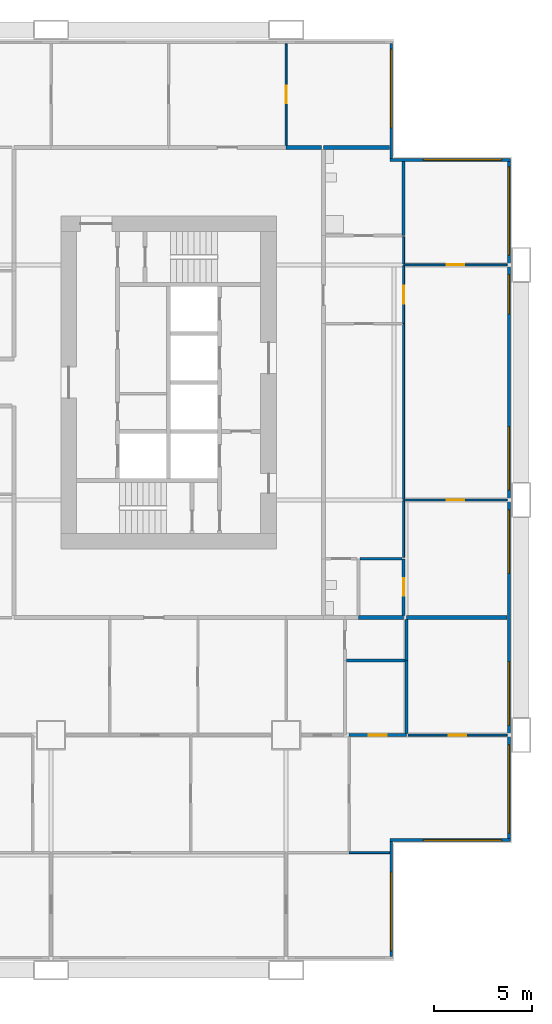
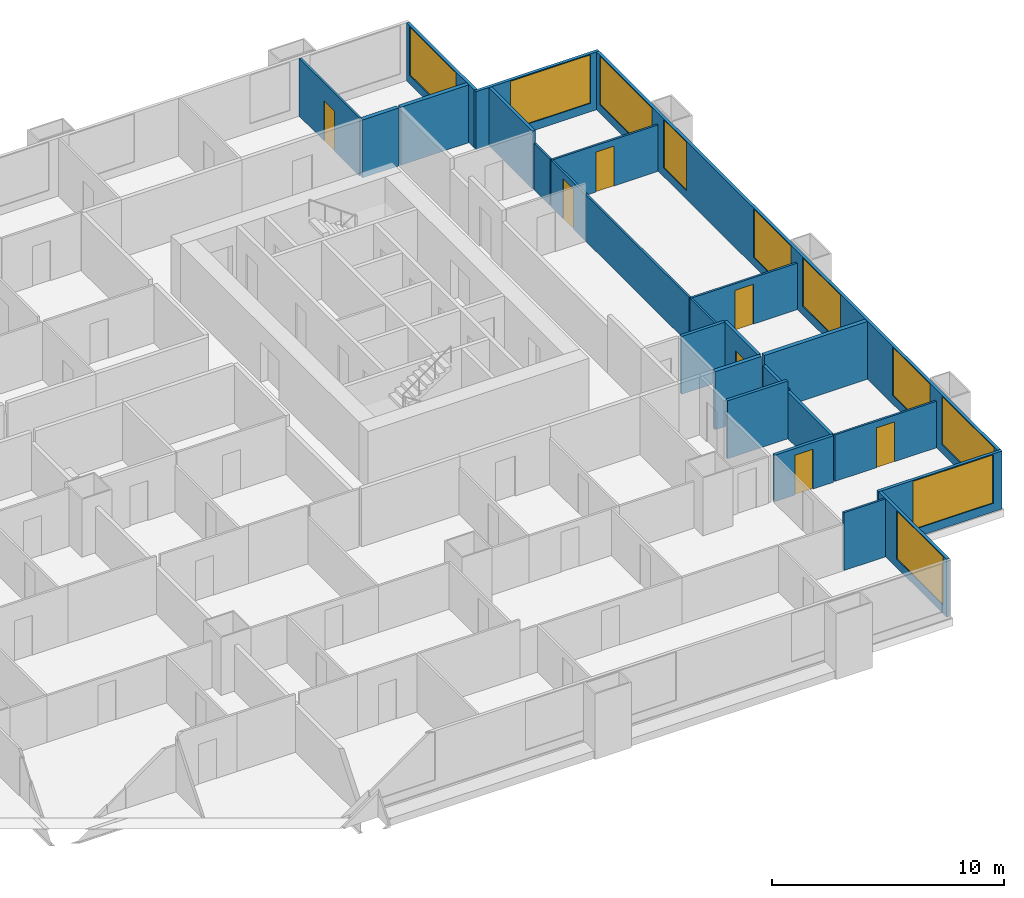
# One storey, part 10 of 13: 25 walls, 10 windows, 7 doors, 17 openings.
"""IFC4 building model written with IfcOpenShell, lengths in metres."""

from ifc_helpers import new_model, si_unit, direction, frame, frame_2d, origin, place, context, subcontext, project, spatial, rectangle, extrude, material, layer, layer_set, type_object, element, fill, save


model = new_model("IFC4")

# Units and contexts
model_context = context("Model", 3, precision=1e-05, world=origin(), true_north=direction((0.0, 1.0)))
body_context = subcontext(model_context, "Body", "Model", "MODEL_VIEW")
ifc_project = project(units=[si_unit("LENGTHUNIT", "METRE"), si_unit("AREAUNIT", "SQUARE_METRE"), si_unit("VOLUMEUNIT", "CUBIC_METRE"), si_unit("PLANEANGLEUNIT", "RADIAN"), si_unit("MASSUNIT", "GRAM", prefix="KILO")], contexts=[model_context])

# Site, building, storey
site_placement = place(None, origin())
site = spatial("IfcSite", under=ifc_project, at=site_placement, CompositionType="ELEMENT")
building_placement = place(site_placement, origin())
building = spatial("IfcBuilding", under=site, at=building_placement, Name="Kitamizu Gate Tower and Museum", CompositionType="ELEMENT")
storey_placement = place(building_placement, frame((0.0, 0.0, 36.89990234375)))
storey = spatial("IfcBuildingStorey", under=building, at=storey_placement, Name="L07", CompositionType="ELEMENT", Elevation=36.89990234375)

# Wall
ifc_material_1 = material(Name="Gypsum board on galvanised stud")
ifc_layer_1 = layer(ifc_material_1, 0.10009765625)
ifc_layer_set_1 = layer_set([ifc_layer_1], Name="Gypsum board on galvanised stud")
wall_type_1 = type_object("IfcWallType", Name="Partition 100 NOT RATED", PredefinedType="PARTITIONING", material=ifc_layer_set_1)
wall_1_placement = place(storey_placement, frame((65.280029296875, 6.0, 0.0), z_axis=(0.0, 0.0, 1.0), x_axis=(-1.0, 0.0, 0.0)))
element("IfcWall", 1, at=wall_1_placement, inside=storey, type_object=wall_type_1, Name="Partition L07-083", PredefinedType="PARTITIONING", context=body_context, shape_type="SweptSolid", body=[
    extrude(rectangle(XDim=2.070068359375, YDim=0.10009765625, at=frame_2d((1.03515625, 0.0))), origin(), (0.0, 0.0, 1.0), 3.050048828125),
])

# Wall, opening, door
wall_2_placement = place(storey_placement, frame((71.280029296875, 12.0, 0.0), z_axis=(0.0, 0.0, 1.0), x_axis=(-1.0, 0.0, 0.0)))
wall_2 = element("IfcWall", 2, at=wall_2_placement, inside=storey, type_object=wall_type_1, Name="Partition L07-096", PredefinedType="PARTITIONING", context=body_context, shape_type="SweptSolid", body=[
    extrude(rectangle(XDim=5.05908203125, YDim=0.10009765625, at=frame_2d((2.529541015625, 0.0))), origin(), (0.0, 0.0, 1.0), 2.4501953125),
])
opening_1_placement = place(wall_2_placement, frame((2.07958984375, 0.0, 0.0)))
opening_1 = element("IfcOpeningElement", 3, at=opening_1_placement, cuts=wall_2, Name="Opening L07-041", PredefinedType="OPENING", context=body_context, shape_type="SweptSolid", body=[
    extrude(rectangle(XDim=0.89990234375, YDim=2.10009765625, at=frame_2d((0.449951171875, 1.050048828125))), frame((0.0, 0.06005859375, 0.0), z_axis=(0.0, -1.0, 0.0), x_axis=(1.0, 0.0, 0.0)), (0.0, 0.0, 1.0), 0.1201171875),
])
ifc_material_2 = material(Name="Timber door set", Category="wood")
door_type_1 = type_object("IfcDoorType", Name="Room door 900", OperationType="NOTDEFINED", PredefinedType="DOOR", material=ifc_material_2)
door_1_placement = place(opening_1_placement, frame((0.89990234375, 0.0, 0.0), x_axis=(-1.0, 0.0, 0.0)))
door_1 = element("IfcDoor", 4, at=door_1_placement, inside=storey, type_object=door_type_1, Name="Door L07-041", OperationType="SINGLE_SWING_RIGHT", OverallHeight=2.10009765625, OverallWidth=0.89990234375, PredefinedType="DOOR", context=body_context, shape_type="SweptSolid", body=[
    extrude(rectangle(XDim=0.89990234375, YDim=2.10009765625, at=frame_2d((0.449951171875, 1.050048828125))), frame((0.0, 0.02490234375, 0.0), z_axis=(0.0, -1.0, 0.0), x_axis=(1.0, 0.0, 0.0)), (0.0, 0.0, 1.0), 0.050048828125),
])
fill(opening_1, door_1)

wall_3_placement = place(storey_placement, frame((71.280029296875, 24.0, 0.0), z_axis=(0.0, 0.0, 1.0), x_axis=(-1.0, 0.0, 0.0)))
wall_3 = element("IfcWall", 5, at=wall_3_placement, inside=storey, type_object=wall_type_1, Name="Partition L07-126", PredefinedType="PARTITIONING", context=body_context, shape_type="SweptSolid", body=[
    extrude(rectangle(XDim=5.280029296875, YDim=0.10009765625, at=frame_2d((2.64013671875, 0.0))), origin(), (0.0, 0.0, 1.0), 2.4501953125),
])
opening_2_placement = place(wall_3_placement, frame((2.18994140625, 0.0, 0.0)))
opening_2 = element("IfcOpeningElement", 6, at=opening_2_placement, cuts=wall_3, Name="Opening L07-051", PredefinedType="OPENING", context=body_context, shape_type="SweptSolid", body=[
    extrude(rectangle(XDim=0.89990234375, YDim=2.10009765625, at=frame_2d((0.449951171875, 1.050048828125))), frame((0.0, 0.06005859375, 0.0), z_axis=(0.0, -1.0, 0.0), x_axis=(1.0, 0.0, 0.0)), (0.0, 0.0, 1.0), 0.1201171875),
])
door_2_placement = place(opening_2_placement, origin())
door_2 = element("IfcDoor", 7, at=door_2_placement, inside=storey, type_object=door_type_1, Name="Door L07-051", OperationType="SINGLE_SWING_LEFT", OverallHeight=2.10009765625, OverallWidth=0.89990234375, PredefinedType="DOOR", context=body_context, shape_type="SweptSolid", body=[
    extrude(rectangle(XDim=0.89990234375, YDim=2.10009765625, at=frame_2d((0.449951171875, 1.050048828125))), frame((0.0, 0.02490234375, 0.0), z_axis=(0.0, -1.0, 0.0), x_axis=(1.0, 0.0, 0.0)), (0.0, 0.0, 1.0), 0.050048828125),
])
fill(opening_2, door_2)

# Wall
wall_4_placement = place(storey_placement, frame((66.0, 23.949951171875, 0.0), z_axis=(0.0, 0.0, 1.0), x_axis=(0.0, -1.0, 0.0)))
element("IfcWall", 8, at=wall_4_placement, inside=storey, type_object=wall_type_1, Name="Partition L07-128", PredefinedType="PARTITIONING", context=body_context, shape_type="SweptSolid", body=[
    extrude(rectangle(XDim=2.875, YDim=0.10009765625, at=frame_2d((1.4375, 0.0))), origin(), (0.0, 0.0, 1.0), 2.4501953125),
])

# Wall, opening, door
wall_5_placement = place(storey_placement, frame((71.280029296875, 36.0, 0.0), z_axis=(0.0, 0.0, 1.0), x_axis=(-1.0, 0.0, 0.0)))
wall_5 = element("IfcWall", 9, at=wall_5_placement, inside=storey, type_object=wall_type_1, Name="Partition L07-129", PredefinedType="PARTITIONING", context=body_context, shape_type="SweptSolid", body=[
    extrude(rectangle(XDim=5.280029296875, YDim=0.10009765625, at=frame_2d((2.64013671875, 0.0))), origin(), (0.0, 0.0, 1.0), 2.4501953125),
])
opening_3_placement = place(wall_5_placement, frame((2.18994140625, 0.0, 0.0)))
opening_3 = element("IfcOpeningElement", 10, at=opening_3_placement, cuts=wall_5, Name="Opening L07-053", PredefinedType="OPENING", context=body_context, shape_type="SweptSolid", body=[
    extrude(rectangle(XDim=0.89990234375, YDim=2.10009765625, at=frame_2d((0.449951171875, 1.050048828125))), frame((0.0, 0.06005859375, 0.0), z_axis=(0.0, -1.0, 0.0), x_axis=(1.0, 0.0, 0.0)), (0.0, 0.0, 1.0), 0.1201171875),
])
door_3_placement = place(opening_3_placement, frame((0.89990234375, 0.0, 0.0), x_axis=(-1.0, 0.0, 0.0)))
door_3 = element("IfcDoor", 11, at=door_3_placement, inside=storey, type_object=door_type_1, Name="Door L07-053", OperationType="SINGLE_SWING_RIGHT", OverallHeight=2.10009765625, OverallWidth=0.89990234375, PredefinedType="DOOR", context=body_context, shape_type="SweptSolid", body=[
    extrude(rectangle(XDim=0.89990234375, YDim=2.10009765625, at=frame_2d((0.449951171875, 1.050048828125))), frame((0.0, 0.02490234375, 0.0), z_axis=(0.0, -1.0, 0.0), x_axis=(1.0, 0.0, 0.0)), (0.0, 0.0, 1.0), 0.050048828125),
])
fill(opening_3, door_3)

# Wall
wall_6_placement = place(storey_placement, frame((66.0, 33.0, 0.0), z_axis=(0.0, 0.0, 1.0), x_axis=(0.0, -1.0, 0.0)))
element("IfcWall", 12, at=wall_6_placement, inside=storey, type_object=wall_type_1, Name="Partition L07-130", PredefinedType="PARTITIONING", context=body_context, shape_type="SweptSolid", body=[
    extrude(rectangle(XDim=8.949951171875, YDim=0.10009765625, at=frame_2d((4.47509765625, 0.0))), origin(), (0.0, 0.0, 1.0), 2.4501953125),
])

# Wall, opening, door
wall_7_placement = place(storey_placement, frame((66.0, 35.949951171875, 0.0), z_axis=(0.0, 0.0, 1.0), x_axis=(0.0, -1.0, 0.0)))
wall_7 = element("IfcWall", 13, at=wall_7_placement, inside=storey, type_object=wall_type_1, Name="Partition L07-131", PredefinedType="PARTITIONING", context=body_context, shape_type="SweptSolid", body=[
    extrude(rectangle(XDim=2.949951171875, YDim=0.10009765625, at=frame_2d((1.47509765625, 0.0))), origin(), (0.0, 0.0, 1.0), 2.4501953125),
])
opening_4_placement = place(wall_7_placement, frame((1.02490234375, 0.0, 0.0)))
opening_4 = element("IfcOpeningElement", 14, at=opening_4_placement, cuts=wall_7, Name="Opening L07-049", PredefinedType="OPENING", context=body_context, shape_type="SweptSolid", body=[
    extrude(rectangle(XDim=0.89990234375, YDim=2.10009765625, at=frame_2d((0.449951171875, 1.050048828125))), frame((0.0, 0.06005859375, 0.0), z_axis=(0.0, -1.0, 0.0), x_axis=(1.0, 0.0, 0.0)), (0.0, 0.0, 1.0), 0.1201171875),
])
door_4_placement = place(opening_4_placement, origin())
door_4 = element("IfcDoor", 15, at=door_4_placement, inside=storey, type_object=door_type_1, Name="Door L07-049", OperationType="SINGLE_SWING_RIGHT", OverallHeight=2.10009765625, OverallWidth=0.89990234375, PredefinedType="DOOR", context=body_context, shape_type="SweptSolid", body=[
    extrude(rectangle(XDim=0.89990234375, YDim=2.10009765625, at=frame_2d((0.449951171875, 1.050048828125))), frame((0.0, 0.02490234375, 0.0), z_axis=(0.0, -1.0, 0.0), x_axis=(1.0, 0.0, 0.0)), (0.0, 0.0, 1.0), 0.050048828125),
])
fill(opening_4, door_4)

# Wall
wall_8_placement = place(storey_placement, frame((66.0, 37.425048828125, 0.0), z_axis=(0.0, 0.0, 1.0), x_axis=(0.0, -1.0, 0.0)))
element("IfcWall", 16, at=wall_8_placement, inside=storey, type_object=wall_type_1, Name="Partition L07-132", PredefinedType="PARTITIONING", context=body_context, shape_type="SweptSolid", body=[
    extrude(rectangle(XDim=1.375, YDim=0.10009765625, at=frame_2d((0.6875, 0.0))), origin(), (0.0, 0.0, 1.0), 2.4501953125),
])

# Wall, opening, door
wall_9_placement = place(storey_placement, frame((60.0, 42.10009765625, 0.0), z_axis=(0.0, 0.0, 1.0), x_axis=(0.0, 1.0, 0.0)))
wall_9 = element("IfcWall", 17, at=wall_9_placement, inside=storey, type_object=wall_type_1, Name="Partition L07-189", PredefinedType="PARTITIONING", context=body_context, shape_type="SweptSolid", body=[
    extrude(rectangle(XDim=5.179931640625, YDim=0.10009765625, at=frame_2d((2.58984375, 0.0))), origin(), (0.0, 0.0, 1.0), 3.050048828125),
])
opening_5_placement = place(wall_9_placement, frame((2.139892578125, 0.0, 0.0)))
opening_5 = element("IfcOpeningElement", 18, at=opening_5_placement, cuts=wall_9, Name="Opening L07-069", PredefinedType="OPENING", context=body_context, shape_type="SweptSolid", body=[
    extrude(rectangle(XDim=0.89990234375, YDim=2.10009765625, at=frame_2d((0.449951171875, 1.050048828125))), frame((0.0, 0.06005859375, 0.0), z_axis=(0.0, -1.0, 0.0), x_axis=(1.0, 0.0, 0.0)), (0.0, 0.0, 1.0), 0.1201171875),
])
door_5_placement = place(opening_5_placement, frame((0.89990234375, 0.0, 0.0), x_axis=(-1.0, 0.0, 0.0)))
door_5 = element("IfcDoor", 19, at=door_5_placement, inside=storey, type_object=door_type_1, Name="Door L07-069", OperationType="SINGLE_SWING_LEFT", OverallHeight=2.10009765625, OverallWidth=0.89990234375, PredefinedType="DOOR", context=body_context, shape_type="SweptSolid", body=[
    extrude(rectangle(XDim=0.89990234375, YDim=2.10009765625, at=frame_2d((0.449951171875, 1.050048828125))), frame((0.0, 0.02490234375, 0.0), z_axis=(0.0, -1.0, 0.0), x_axis=(1.0, 0.0, 0.0)), (0.0, 0.0, 1.0), 0.050048828125),
])
fill(opening_5, door_5)

ifc_material_3 = material(Name="Gypsum board on galvanised stud")
ifc_layer_2 = layer(ifc_material_3, 0.14990234375)
ifc_layer_set_2 = layer_set([ifc_layer_2], Name="Gypsum board on galvanised stud")
wall_type_2 = type_object("IfcWallType", Name="Partition 150", PredefinedType="PARTITIONING", material=ifc_layer_set_2)
wall_10_placement = place(storey_placement, frame((66.14599609375, 12.0, 0.0), z_axis=(0.0, 0.0, 1.0), x_axis=(-1.0, 0.0, 0.0)))
wall_10 = element("IfcWall", 20, at=wall_10_placement, inside=storey, type_object=wall_type_2, Name="Partition L07-097", PredefinedType="PARTITIONING", context=body_context, shape_type="SweptSolid", body=[
    extrude(rectangle(XDim=2.93603515625, YDim=0.14990234375, at=frame_2d((1.468017578125, 0.0))), origin(), (0.0, 0.0, 1.0), 2.4501953125),
])
opening_6_placement = place(wall_10_placement, frame((1.01806640625, 0.0, 0.0)))
opening_6 = element("IfcOpeningElement", 21, at=opening_6_placement, cuts=wall_10, Name="Opening L07-042", PredefinedType="OPENING", context=body_context, shape_type="SweptSolid", body=[
    extrude(rectangle(XDim=0.89990234375, YDim=2.10009765625, at=frame_2d((0.449951171875, 1.050048828125))), frame((0.0, 0.0849609375, 0.0), z_axis=(0.0, -1.0, 0.0), x_axis=(1.0, 0.0, 0.0)), (0.0, 0.0, 1.0), 0.169921875),
])
ifc_material_4 = material(Name="Timber door set", Category="wood")
door_type_2 = type_object("IfcDoorType", Name="Bathroom door 900", OperationType="NOTDEFINED", PredefinedType="DOOR", material=ifc_material_4)
door_6_placement = place(opening_6_placement, frame((0.89990234375, 0.0, 0.0), x_axis=(-1.0, 0.0, 0.0)))
door_6 = element("IfcDoor", 22, at=door_6_placement, inside=storey, type_object=door_type_2, Name="Bathroom door L07-042", OperationType="SINGLE_SWING_LEFT", OverallHeight=2.10009765625, OverallWidth=0.89990234375, PredefinedType="DOOR", context=body_context, shape_type="SweptSolid", body=[
    extrude(rectangle(XDim=0.89990234375, YDim=2.10009765625, at=frame_2d((0.449951171875, 1.050048828125))), frame((0.0, 0.02490234375, 0.0), z_axis=(0.0, -1.0, 0.0), x_axis=(1.0, 0.0, 0.0)), (0.0, 0.0, 1.0), 0.050048828125),
])
fill(opening_6, door_6)

# Walls
wall_11_placement = place(storey_placement, frame((66.14599609375, 15.81396484375, 0.0), z_axis=(0.0, 0.0, 1.0), x_axis=(0.0, -1.0, 0.0)))
element("IfcWall", 23, at=wall_11_placement, inside=storey, type_object=wall_type_2, Name="Partition L07-112", PredefinedType="PARTITIONING", context=body_context, shape_type="SweptSolid", body=[
    extrude(rectangle(XDim=3.739013671875, YDim=0.14990234375, at=frame_2d((1.86962890625, 0.0))), origin(), (0.0, 0.0, 1.0), 2.4501953125),
])
wall_12_placement = place(storey_placement, frame((66.14599609375, 17.89990234375, 0.0), z_axis=(0.0, 0.0, 1.0), x_axis=(0.0, -1.0, 0.0)))
element("IfcWall", 24, at=wall_12_placement, inside=storey, type_object=wall_type_2, Name="Partition L07-113", PredefinedType="PARTITIONING", context=body_context, shape_type="SweptSolid", body=[
    extrude(rectangle(XDim=2.0859375, YDim=0.14990234375, at=frame_2d((1.04296875, 0.0))), origin(), (0.0, 0.0, 1.0), 2.550048828125),
])
wall_13_placement = place(storey_placement, frame((66.071044921875, 15.81396484375, 0.0), z_axis=(0.0, 0.0, 1.0), x_axis=(-1.0, 0.0, 0.0)))
element("IfcWall", 25, at=wall_13_placement, inside=storey, type_object=wall_type_2, Name="Partition L07-115", PredefinedType="PARTITIONING", context=body_context, shape_type="SweptSolid", body=[
    extrude(rectangle(XDim=2.99609375, YDim=0.14990234375, at=frame_2d((1.498046875, 0.0))), origin(), (0.0, 0.0, 1.0), 3.050048828125),
])

# Wall, opening, door
wall_14_placement = place(storey_placement, frame((66.0, 21.0, 0.0), z_axis=(0.0, 0.0, 1.0), x_axis=(0.0, -1.0, 0.0)))
wall_14 = element("IfcWall", 26, at=wall_14_placement, inside=storey, type_object=wall_type_2, Name="Partition L07-127", PredefinedType="PARTITIONING", context=body_context, shape_type="SweptSolid", body=[
    extrude(rectangle(XDim=2.89990234375, YDim=0.14990234375, at=frame_2d((1.449951171875, 0.0))), origin(), (0.0, 0.0, 1.0), 3.050048828125),
])
opening_7_placement = place(wall_14_placement, frame((1.0, 0.0, 0.0)))
opening_7 = element("IfcOpeningElement", 27, at=opening_7_placement, cuts=wall_14, Name="Opening L07-055", PredefinedType="OPENING", context=body_context, shape_type="SweptSolid", body=[
    extrude(rectangle(XDim=0.89990234375, YDim=2.10009765625, at=frame_2d((0.449951171875, 1.050048828125))), frame((0.0, 0.0849609375, 0.0), z_axis=(0.0, -1.0, 0.0), x_axis=(1.0, 0.0, 0.0)), (0.0, 0.0, 1.0), 0.169921875),
])
door_7_placement = place(opening_7_placement, frame((0.89990234375, 0.0, 0.0), x_axis=(-1.0, 0.0, 0.0)))
door_7 = element("IfcDoor", 28, at=door_7_placement, inside=storey, type_object=door_type_2, Name="Bathroom door L07-055", OperationType="SINGLE_SWING_RIGHT", OverallHeight=2.10009765625, OverallWidth=0.89990234375, PredefinedType="DOOR", context=body_context, shape_type="SweptSolid", body=[
    extrude(rectangle(XDim=0.89990234375, YDim=2.10009765625, at=frame_2d((0.449951171875, 1.050048828125))), frame((0.0, 0.02490234375, 0.0), z_axis=(0.0, -1.0, 0.0), x_axis=(1.0, 0.0, 0.0)), (0.0, 0.0, 1.0), 0.050048828125),
])
fill(opening_7, door_7)

# Walls
wall_15_placement = place(storey_placement, frame((66.0, 41.280029296875, 0.0), z_axis=(0.0, 0.0, 1.0), x_axis=(0.0, -1.0, 0.0)))
element("IfcWall", 29, at=wall_15_placement, inside=storey, type_object=wall_type_2, Name="Partition L07-133", PredefinedType="PARTITIONING", context=body_context, shape_type="SweptSolid", body=[
    extrude(rectangle(XDim=3.780029296875, YDim=0.14990234375, at=frame_2d((1.89013671875, 0.0))), origin(), (0.0, 0.0, 1.0), 3.050048828125),
])
wall_16_placement = place(storey_placement, frame((65.925048828125, 21.0, 0.0), z_axis=(0.0, 0.0, 1.0), x_axis=(-1.0, 0.0, 0.0)))
element("IfcWall", 30, at=wall_16_placement, inside=storey, type_object=wall_type_2, Name="Partition L07-137", PredefinedType="PARTITIONING", context=body_context, shape_type="SweptSolid", body=[
    extrude(rectangle(XDim=2.150146484375, YDim=0.14990234375, at=frame_2d((1.0751953125, 0.0))), origin(), (0.0, 0.0, 1.0), 3.050048828125),
])
ifc_material_5 = material(Name="Gypsum board on galvanised stud")
ifc_layer_3 = layer(ifc_material_5, 0.199951171875)
ifc_layer_set_3 = layer_set([ifc_layer_3], Name="Gypsum board on galvanised stud")
wall_type_3 = type_object("IfcWallType", Name="Partition 200", PredefinedType="PARTITIONING", material=ifc_layer_set_3)
wall_17_placement = place(storey_placement, frame((71.280029296875, 18.0, 0.0), z_axis=(0.0, 0.0, 1.0), x_axis=(-1.0, 0.0, 0.0)))
element("IfcWall", 31, at=wall_17_placement, inside=storey, type_object=wall_type_3, Name="Partition L07-114", PredefinedType="PARTITIONING", context=body_context, shape_type="SweptSolid", body=[
    extrude(rectangle(XDim=5.134033203125, YDim=0.199951171875, at=frame_2d((2.56689453125, 0.0))), origin(), (0.0, 0.0, 1.0), 3.050048828125),
])
wall_18_placement = place(storey_placement, frame((66.0, 18.0, 0.0), z_axis=(0.0, 0.0, 1.0), x_axis=(-1.0, 0.0, 0.0)))
element("IfcWall", 32, at=wall_18_placement, inside=storey, type_object=wall_type_3, Name="Partition L07-117", PredefinedType="PARTITIONING", context=body_context, shape_type="SweptSolid", body=[
    extrude(rectangle(XDim=2.300048828125, YDim=0.199951171875, at=frame_2d((1.14990234375, 0.0))), origin(), (0.0, 0.0, 1.0), 3.050048828125),
])
wall_19_placement = place(storey_placement, frame((65.280029296875, 42.0, 0.0), z_axis=(0.0, 0.0, 1.0), x_axis=(-1.0, 0.0, 0.0)))
element("IfcWall", 33, at=wall_19_placement, inside=storey, type_object=wall_type_3, Name="Partition L07-144", PredefinedType="PARTITIONING", context=body_context, shape_type="SweptSolid", body=[
    extrude(rectangle(XDim=3.380126953125, YDim=0.199951171875, at=frame_2d((1.68994140625, 0.0))), origin(), (0.0, 0.0, 1.0), 3.050048828125),
])
wall_20_placement = place(storey_placement, frame((60.0, 42.0, 0.0), z_axis=(0.0, 0.0, 1.0), x_axis=(1.0, 0.0, 0.0)))
element("IfcWall", 34, at=wall_20_placement, inside=storey, type_object=wall_type_3, Name="Partition L07-191", PredefinedType="PARTITIONING", context=body_context, shape_type="SweptSolid", body=[
    extrude(rectangle(XDim=1.800048828125, YDim=0.199951171875, at=frame_2d((0.89990234375, 0.0))), origin(), (0.0, 0.0, 1.0), 3.050048828125),
])

# Wall, opening, window
ifc_material_6 = material(Name="Bronze anodised aluminium frame with insulated spandrel and tinted glass", Category="aluminium")
ifc_layer_4 = layer(ifc_material_6, 0.14990234375)
ifc_layer_set_4 = layer_set([ifc_layer_4], Name="Bronze anodised aluminium frame with insulated spandrel and tinted glass")
wall_type_4 = type_object("IfcWallType", Name="WINDOW WALL 150 BRONZE FRAME EI 30", PredefinedType="ELEMENTEDWALL", material=ifc_layer_set_4)
wall_21_placement = place(storey_placement, frame((65.364990234375, 0.7099609375, 0.0), z_axis=(0.0, 0.0, 1.0), x_axis=(0.0, 1.0, 0.0)))
wall_21 = element("IfcWall", 35, at=wall_21_placement, inside=storey, type_object=wall_type_4, Name="Window wall east L07", PredefinedType="ELEMENTEDWALL", context=body_context, shape_type="SweptSolid", body=[
    extrude(rectangle(XDim=5.85009765625, YDim=0.14990234375, at=frame_2d((2.925048828125, 0.0))), origin(), (0.0, 0.0, 1.0), 3.050048828125),
])
opening_8_placement = place(wall_21_placement, frame((0.2900390625, 0.0, 0.449951171875)))
opening_8 = element("IfcOpeningElement", 36, at=opening_8_placement, cuts=wall_21, Name="Opening W16", PredefinedType="OPENING", context=body_context, shape_type="SweptSolid", body=[
    extrude(rectangle(XDim=4.0, YDim=2.550048828125, at=frame_2d((2.0, 1.27490234375))), frame((0.0, 0.0849609375, 0.0), z_axis=(0.0, -1.0, 0.0), x_axis=(1.0, 0.0, 0.0)), (0.0, 0.0, 1.0), 0.169921875),
])
ifc_material_7 = material(Name="Bronze anodised aluminium frame, tinted triple glazing", Category="aluminium")
window_type_1 = type_object("IfcWindowType", Name="WINDOW 4000 x 2550 SILL 450", PartitioningType="SINGLE_PANEL", PredefinedType="WINDOW", material=ifc_material_7)
window_1_placement = place(opening_8_placement, origin())
window_1 = element("IfcWindow", 37, at=window_1_placement, inside=storey, type_object=window_type_1, Name="Window W16 L07", OverallHeight=2.550048828125, OverallWidth=4.0, PartitioningType="SINGLE_PANEL", PredefinedType="WINDOW", context=body_context, shape_type="SweptSolid", body=[
    extrude(rectangle(XDim=4.0, YDim=2.550048828125, at=frame_2d((2.0, 1.27490234375))), frame((0.0, 0.030029296875, 0.0), z_axis=(0.0, -1.0, 0.0), x_axis=(1.0, 0.0, 0.0)), (0.0, 0.0, 1.0), 0.06005859375),
])
fill(opening_8, window_1)

wall_22_placement = place(storey_placement, frame((65.2900390625, 6.635009765625, 0.0), z_axis=(0.0, 0.0, 1.0), x_axis=(1.0, 0.0, 0.0)))
wall_22 = element("IfcWall", 38, at=wall_22_placement, inside=storey, type_object=wall_type_4, Name="Window wall south L07", PredefinedType="ELEMENTEDWALL", context=body_context, shape_type="SweptSolid", body=[
    extrude(rectangle(XDim=6.14990234375, YDim=0.14990234375, at=frame_2d((3.074951171875, 0.0))), origin(), (0.0, 0.0, 1.0), 3.050048828125),
])
opening_9_placement = place(wall_22_placement, frame((1.7099609375, 0.0, 0.449951171875)))
opening_9 = element("IfcOpeningElement", 39, at=opening_9_placement, cuts=wall_22, Name="Opening W16", PredefinedType="OPENING", context=body_context, shape_type="SweptSolid", body=[
    extrude(rectangle(XDim=4.0, YDim=2.550048828125, at=frame_2d((2.0, 1.27490234375))), frame((0.0, 0.0849609375, 0.0), z_axis=(0.0, -1.0, 0.0), x_axis=(1.0, 0.0, 0.0)), (0.0, 0.0, 1.0), 0.169921875),
])
window_2_placement = place(opening_9_placement, origin())
window_2 = element("IfcWindow", 40, at=window_2_placement, inside=storey, type_object=window_type_1, Name="Window W16 L07", OverallHeight=2.550048828125, OverallWidth=4.0, PartitioningType="SINGLE_PANEL", PredefinedType="WINDOW", context=body_context, shape_type="SweptSolid", body=[
    extrude(rectangle(XDim=4.0, YDim=2.550048828125, at=frame_2d((2.0, 1.27490234375))), frame((0.0, 0.030029296875, 0.0), z_axis=(0.0, -1.0, 0.0), x_axis=(1.0, 0.0, 0.0)), (0.0, 0.0, 1.0), 0.06005859375),
])
fill(opening_9, window_2)

# Wall, openings, windows
wall_23_placement = place(storey_placement, frame((71.364990234375, 6.7099609375, 0.0), z_axis=(0.0, 0.0, 1.0), x_axis=(0.0, 1.0, 0.0)))
wall_23 = element("IfcWall", 41, at=wall_23_placement, inside=storey, type_object=wall_type_4, Name="Window wall east L07", PredefinedType="ELEMENTEDWALL", context=body_context, shape_type="SweptSolid", body=[
    extrude(rectangle(XDim=34.580078125, YDim=0.14990234375, at=frame_2d((17.2900390625, 0.0))), origin(), (0.0, 0.0, 1.0), 3.050048828125),
])
opening_10_placement = place(wall_23_placement, frame((0.2900390625, 0.0, 0.449951171875)))
opening_10 = element("IfcOpeningElement", 42, at=opening_10_placement, cuts=wall_23, Name="Opening W15", PredefinedType="OPENING", context=body_context, shape_type="SweptSolid", body=[
    extrude(rectangle(XDim=4.5, YDim=2.550048828125, at=frame_2d((2.25, 1.27490234375))), frame((0.0, 0.0849609375, 0.0), z_axis=(0.0, -1.0, 0.0), x_axis=(1.0, 0.0, 0.0)), (0.0, 0.0, 1.0), 0.169921875),
])
opening_11_placement = place(wall_23_placement, frame((5.7900390625, 0.0, 0.449951171875)))
opening_11 = element("IfcOpeningElement", 43, at=opening_11_placement, cuts=wall_23, Name="Opening W34", PredefinedType="OPENING", context=body_context, shape_type="SweptSolid", body=[
    extrude(rectangle(XDim=3.25, YDim=2.550048828125, at=frame_2d((1.625, 1.27490234375))), frame((0.0, 0.0849609375, 0.0), z_axis=(0.0, -1.0, 0.0), x_axis=(1.0, 0.0, 0.0)), (0.0, 0.0, 1.0), 0.169921875),
])
opening_12_placement = place(wall_23_placement, frame((13.5400390625, 0.0, 0.449951171875)))
opening_12 = element("IfcOpeningElement", 44, at=opening_12_placement, cuts=wall_23, Name="Opening W34", PredefinedType="OPENING", context=body_context, shape_type="SweptSolid", body=[
    extrude(rectangle(XDim=3.25, YDim=2.550048828125, at=frame_2d((1.625, 1.27490234375))), frame((0.0, 0.0849609375, 0.0), z_axis=(0.0, -1.0, 0.0), x_axis=(1.0, 0.0, 0.0)), (0.0, 0.0, 1.0), 0.169921875),
])
opening_13_placement = place(wall_23_placement, frame((17.7900390625, 0.0, 0.449951171875)))
opening_13 = element("IfcOpeningElement", 45, at=opening_13_placement, cuts=wall_23, Name="Opening W34", PredefinedType="OPENING", context=body_context, shape_type="SweptSolid", body=[
    extrude(rectangle(XDim=3.25, YDim=2.550048828125, at=frame_2d((1.625, 1.27490234375))), frame((0.0, 0.0849609375, 0.0), z_axis=(0.0, -1.0, 0.0), x_axis=(1.0, 0.0, 0.0)), (0.0, 0.0, 1.0), 0.169921875),
])
opening_14_placement = place(wall_23_placement, frame((26.7900390625, 0.0, 0.449951171875)))
opening_14 = element("IfcOpeningElement", 46, at=opening_14_placement, cuts=wall_23, Name="Opening W2", PredefinedType="OPENING", context=body_context, shape_type="SweptSolid", body=[
    extrude(rectangle(XDim=2.0, YDim=2.550048828125, at=frame_2d((1.0, 1.27490234375))), frame((0.0, 0.0849609375, 0.0), z_axis=(0.0, -1.0, 0.0), x_axis=(1.0, 0.0, 0.0)), (0.0, 0.0, 1.0), 0.169921875),
])
opening_15_placement = place(wall_23_placement, frame((29.7900390625, 0.0, 0.449951171875)))
opening_15 = element("IfcOpeningElement", 47, at=opening_15_placement, cuts=wall_23, Name="Opening W15", PredefinedType="OPENING", context=body_context, shape_type="SweptSolid", body=[
    extrude(rectangle(XDim=4.5, YDim=2.550048828125, at=frame_2d((2.25, 1.27490234375))), frame((0.0, 0.0849609375, 0.0), z_axis=(0.0, -1.0, 0.0), x_axis=(1.0, 0.0, 0.0)), (0.0, 0.0, 1.0), 0.169921875),
])
ifc_material_8 = material(Name="Bronze anodised aluminium frame, tinted triple glazing", Category="aluminium")
window_type_2 = type_object("IfcWindowType", Name="WINDOW 2000 x 2550 SILL 450", PartitioningType="SINGLE_PANEL", PredefinedType="WINDOW", material=ifc_material_8)
window_3_placement = place(opening_14_placement, origin())
window_3 = element("IfcWindow", 48, at=window_3_placement, inside=storey, type_object=window_type_2, Name="Window W2 L07", OverallHeight=2.550048828125, OverallWidth=2.0, PartitioningType="SINGLE_PANEL", PredefinedType="WINDOW", context=body_context, shape_type="SweptSolid", body=[
    extrude(rectangle(XDim=2.0, YDim=2.550048828125, at=frame_2d((1.0, 1.27490234375))), frame((0.0, 0.030029296875, 0.0), z_axis=(0.0, -1.0, 0.0), x_axis=(1.0, 0.0, 0.0)), (0.0, 0.0, 1.0), 0.06005859375),
])
fill(opening_14, window_3)
ifc_material_9 = material(Name="Bronze anodised aluminium frame, tinted triple glazing", Category="aluminium")
window_type_3 = type_object("IfcWindowType", Name="WINDOW 3250 x 2550 SILL 450", PartitioningType="SINGLE_PANEL", PredefinedType="WINDOW", material=ifc_material_9)
window_4_placement = place(opening_11_placement, origin())
window_4 = element("IfcWindow", 49, at=window_4_placement, inside=storey, type_object=window_type_3, Name="Window W34 L07", OverallHeight=2.550048828125, OverallWidth=3.25, PartitioningType="SINGLE_PANEL", PredefinedType="WINDOW", context=body_context, shape_type="SweptSolid", body=[
    extrude(rectangle(XDim=3.25, YDim=2.550048828125, at=frame_2d((1.625, 1.27490234375))), frame((0.0, 0.030029296875, 0.0), z_axis=(0.0, -1.0, 0.0), x_axis=(1.0, 0.0, 0.0)), (0.0, 0.0, 1.0), 0.06005859375),
])
fill(opening_11, window_4)
window_5_placement = place(opening_12_placement, origin())
window_5 = element("IfcWindow", 50, at=window_5_placement, inside=storey, type_object=window_type_3, Name="Window W34 L07", OverallHeight=2.550048828125, OverallWidth=3.25, PartitioningType="SINGLE_PANEL", PredefinedType="WINDOW", context=body_context, shape_type="SweptSolid", body=[
    extrude(rectangle(XDim=3.25, YDim=2.550048828125, at=frame_2d((1.625, 1.27490234375))), frame((0.0, 0.030029296875, 0.0), z_axis=(0.0, -1.0, 0.0), x_axis=(1.0, 0.0, 0.0)), (0.0, 0.0, 1.0), 0.06005859375),
])
fill(opening_12, window_5)
window_6_placement = place(opening_13_placement, origin())
window_6 = element("IfcWindow", 51, at=window_6_placement, inside=storey, type_object=window_type_3, Name="Window W34 L07", OverallHeight=2.550048828125, OverallWidth=3.25, PartitioningType="SINGLE_PANEL", PredefinedType="WINDOW", context=body_context, shape_type="SweptSolid", body=[
    extrude(rectangle(XDim=3.25, YDim=2.550048828125, at=frame_2d((1.625, 1.27490234375))), frame((0.0, 0.030029296875, 0.0), z_axis=(0.0, -1.0, 0.0), x_axis=(1.0, 0.0, 0.0)), (0.0, 0.0, 1.0), 0.06005859375),
])
fill(opening_13, window_6)
ifc_material_10 = material(Name="Bronze anodised aluminium frame, tinted triple glazing", Category="aluminium")
window_type_4 = type_object("IfcWindowType", Name="WINDOW 4500 x 2550 SILL 450", PartitioningType="SINGLE_PANEL", PredefinedType="WINDOW", material=ifc_material_10)
window_7_placement = place(opening_10_placement, origin())
window_7 = element("IfcWindow", 52, at=window_7_placement, inside=storey, type_object=window_type_4, Name="Window W15 L07", OverallHeight=2.550048828125, OverallWidth=4.5, PartitioningType="SINGLE_PANEL", PredefinedType="WINDOW", context=body_context, shape_type="SweptSolid", body=[
    extrude(rectangle(XDim=4.5, YDim=2.550048828125, at=frame_2d((2.25, 1.27490234375))), frame((0.0, 0.030029296875, 0.0), z_axis=(0.0, -1.0, 0.0), x_axis=(1.0, 0.0, 0.0)), (0.0, 0.0, 1.0), 0.06005859375),
])
fill(opening_10, window_7)
window_8_placement = place(opening_15_placement, origin())
window_8 = element("IfcWindow", 53, at=window_8_placement, inside=storey, type_object=window_type_4, Name="Window W15 L07", OverallHeight=2.550048828125, OverallWidth=4.5, PartitioningType="SINGLE_PANEL", PredefinedType="WINDOW", context=body_context, shape_type="SweptSolid", body=[
    extrude(rectangle(XDim=4.5, YDim=2.550048828125, at=frame_2d((2.25, 1.27490234375))), frame((0.0, 0.030029296875, 0.0), z_axis=(0.0, -1.0, 0.0), x_axis=(1.0, 0.0, 0.0)), (0.0, 0.0, 1.0), 0.06005859375),
])
fill(opening_15, window_8)

# Wall, opening, window
wall_24_placement = place(storey_placement, frame((65.2900390625, 41.364990234375, 0.0), z_axis=(0.0, 0.0, 1.0), x_axis=(1.0, 0.0, 0.0)))
wall_24 = element("IfcWall", 54, at=wall_24_placement, inside=storey, type_object=wall_type_4, Name="Window wall north L07", PredefinedType="ELEMENTEDWALL", context=body_context, shape_type="SweptSolid", body=[
    extrude(rectangle(XDim=6.14990234375, YDim=0.14990234375, at=frame_2d((3.074951171875, 0.0))), origin(), (0.0, 0.0, 1.0), 3.050048828125),
])
opening_16_placement = place(wall_24_placement, frame((1.7099609375, 0.0, 0.449951171875)))
opening_16 = element("IfcOpeningElement", 55, at=opening_16_placement, cuts=wall_24, Name="Opening W16", PredefinedType="OPENING", context=body_context, shape_type="SweptSolid", body=[
    extrude(rectangle(XDim=4.0, YDim=2.550048828125, at=frame_2d((2.0, 1.27490234375))), frame((0.0, 0.0849609375, 0.0), z_axis=(0.0, -1.0, 0.0), x_axis=(1.0, 0.0, 0.0)), (0.0, 0.0, 1.0), 0.169921875),
])
window_9_placement = place(opening_16_placement, origin())
window_9 = element("IfcWindow", 56, at=window_9_placement, inside=storey, type_object=window_type_1, Name="Window W16 L07", OverallHeight=2.550048828125, OverallWidth=4.0, PartitioningType="SINGLE_PANEL", PredefinedType="WINDOW", context=body_context, shape_type="SweptSolid", body=[
    extrude(rectangle(XDim=4.0, YDim=2.550048828125, at=frame_2d((2.0, 1.27490234375))), frame((0.0, 0.030029296875, 0.0), z_axis=(0.0, -1.0, 0.0), x_axis=(1.0, 0.0, 0.0)), (0.0, 0.0, 1.0), 0.06005859375),
])
fill(opening_16, window_9)

wall_25_placement = place(storey_placement, frame((65.364990234375, 41.43994140625, 0.0), z_axis=(0.0, 0.0, 1.0), x_axis=(0.0, 1.0, 0.0)))
wall_25 = element("IfcWall", 57, at=wall_25_placement, inside=storey, type_object=wall_type_4, Name="Window wall east L07", PredefinedType="ELEMENTEDWALL", context=body_context, shape_type="SweptSolid", body=[
    extrude(rectangle(XDim=5.85009765625, YDim=0.14990234375, at=frame_2d((2.925048828125, 0.0))), origin(), (0.0, 0.0, 1.0), 3.050048828125),
])
opening_17_placement = place(wall_25_placement, frame((1.56005859375, 0.0, 0.449951171875)))
opening_17 = element("IfcOpeningElement", 58, at=opening_17_placement, cuts=wall_25, Name="Opening W16", PredefinedType="OPENING", context=body_context, shape_type="SweptSolid", body=[
    extrude(rectangle(XDim=4.0, YDim=2.550048828125, at=frame_2d((2.0, 1.27490234375))), frame((0.0, 0.0849609375, 0.0), z_axis=(0.0, -1.0, 0.0), x_axis=(1.0, 0.0, 0.0)), (0.0, 0.0, 1.0), 0.169921875),
])
window_10_placement = place(opening_17_placement, origin())
window_10 = element("IfcWindow", 59, at=window_10_placement, inside=storey, type_object=window_type_1, Name="Window W16 L07", OverallHeight=2.550048828125, OverallWidth=4.0, PartitioningType="SINGLE_PANEL", PredefinedType="WINDOW", context=body_context, shape_type="SweptSolid", body=[
    extrude(rectangle(XDim=4.0, YDim=2.550048828125, at=frame_2d((2.0, 1.27490234375))), frame((0.0, 0.030029296875, 0.0), z_axis=(0.0, -1.0, 0.0), x_axis=(1.0, 0.0, 0.0)), (0.0, 0.0, 1.0), 0.06005859375),
])
fill(opening_17, window_10)

save(model, "model.ifc")
